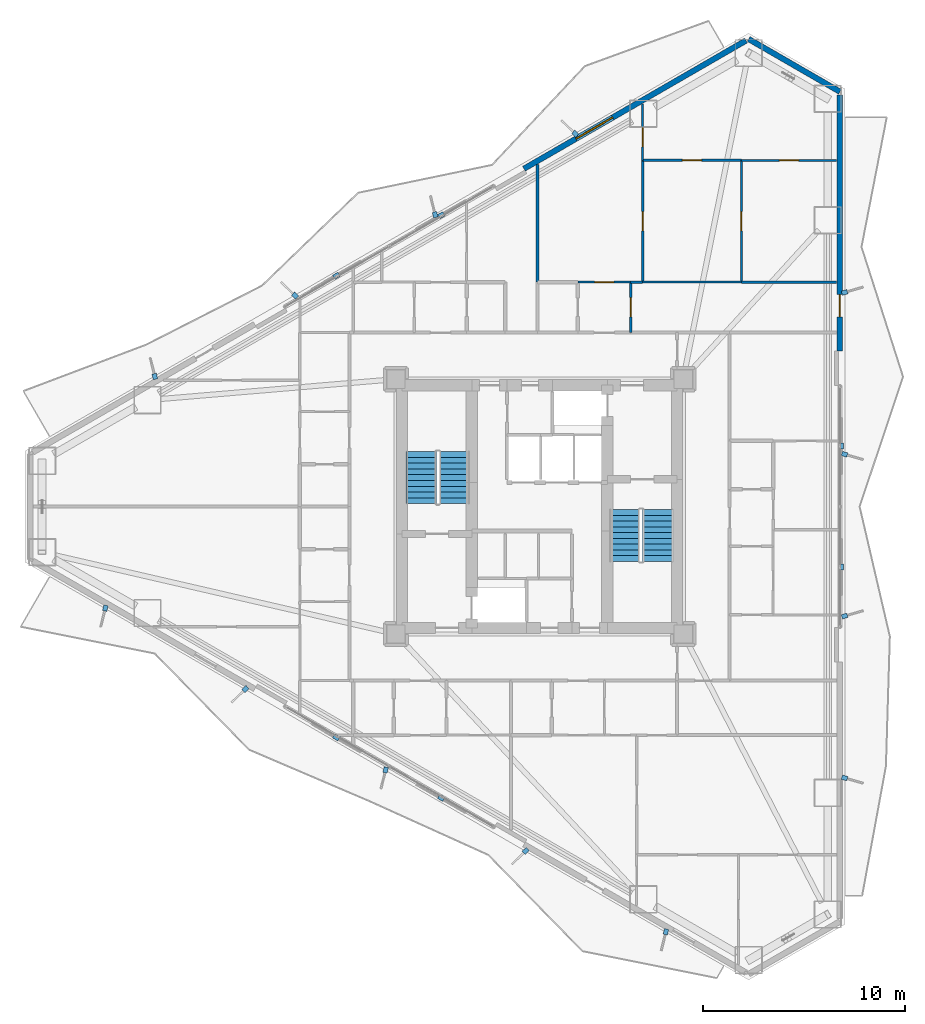
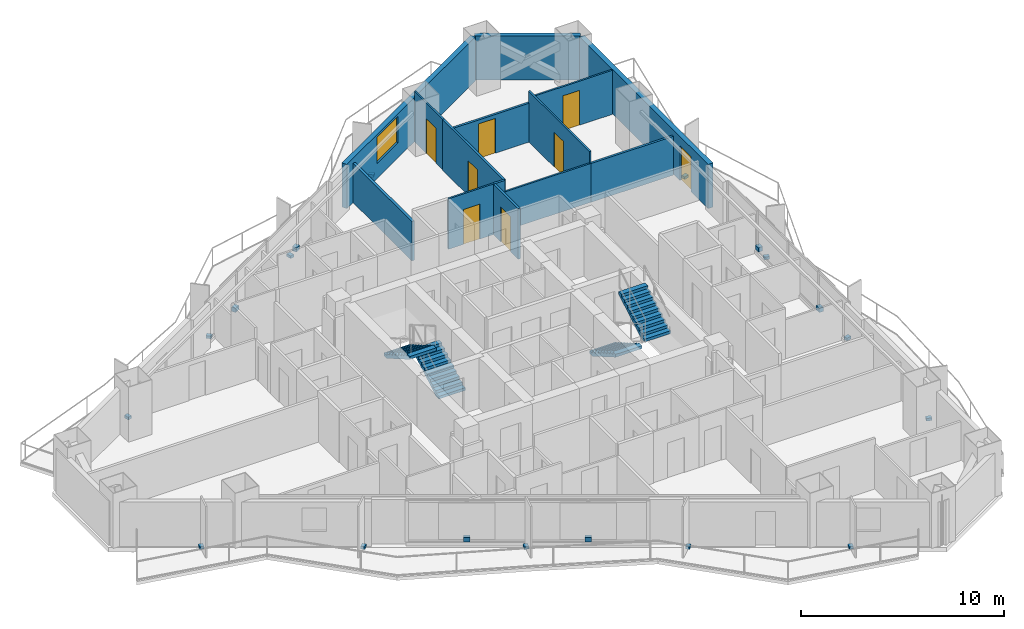
# One storey, part 16 of 18: 19 discrete accessories, 14 walls, 8 doors, 4 stair flights, 1 window, 9 openings, 2 elements without a shape of their own.
"""IFC4 building model written with IfcOpenShell, lengths in metres."""

from ifc_helpers import new_model, si_unit, direction, frame, frame_2d, origin, origin_2d, place, context, subcontext, project, spatial, polyline, rectangle, outline, extrude, material, layer, layer_set, type_object, element, fill, aggregate, save


model = new_model("IFC4")

# Units and contexts
model_context = context("Model", 3, precision=1e-05, world=origin(), true_north=direction((0.0, 1.0)))
body_context = subcontext(model_context, "Body", "Model", "MODEL_VIEW")
ifc_project = project(units=[si_unit("LENGTHUNIT", "METRE"), si_unit("AREAUNIT", "SQUARE_METRE"), si_unit("VOLUMEUNIT", "CUBIC_METRE"), si_unit("PLANEANGLEUNIT", "RADIAN"), si_unit("MASSUNIT", "GRAM", prefix="KILO")], contexts=[model_context])

# Site, building, storey
site_placement = place(None, origin())
site = spatial("IfcSite", under=ifc_project, at=site_placement, CompositionType="ELEMENT")
building_placement = place(site_placement, origin())
building = spatial("IfcBuilding", under=site, at=building_placement, Name="Mersakhor Tower and Convention Hall", CompositionType="ELEMENT")
storey_placement = place(building_placement, frame((0.0, 0.0, 35.699951171875)))
storey = spatial("IfcBuildingStorey", under=building, at=storey_placement, Name="L09", CompositionType="ELEMENT", Elevation=35.699951171875)

# Wall
ifc_material_1 = material(Name="Precast concrete C45/55", Category="concrete")
ifc_layer_1 = layer(ifc_material_1, 0.27490234375)
ifc_layer_set_1 = layer_set([ifc_layer_1], Name="Precast concrete C45/55")
wall_type_1 = type_object("IfcWallType", Name="WL-EXT-275", PredefinedType="SOLIDWALL", material=ifc_layer_set_1)
wall_1_placement = place(storey_placement, frame((39.3369140625, 49.865234375, 0.0), z_axis=(0.0, 0.0, 1.0), x_axis=(0.866043601342, -0.499968479581, 0.0)))
element("IfcWall", 1, at=wall_1_placement, inside=storey, type_object=wall_type_1, Name="L09 Chamfer Braced Spandrel Wall C1", PredefinedType="SOLIDWALL", context=body_context, shape_type="SweptSolid", body=[
    extrude(rectangle(XDim=5.211181640625, YDim=0.27490234375, at=frame_2d((2.60546875, 0.0))), origin(), (0.0, 0.0, 1.0), 2.66015625),
])

# Wall, opening, window
wall_2_placement = place(storey_placement, frame((28.231689453125, 43.453857421875, 0.0), z_axis=(0.0, 0.0, 1.0), x_axis=(0.86603192154, 0.499988710747, 0.0)))
wall_2 = element("IfcWall", 2, at=wall_2_placement, inside=storey, type_object=wall_type_1, Name="L09 Exterior Facade Wall F1-B3", PredefinedType="SOLIDWALL", context=body_context, shape_type="SweptSolid", body=[
    extrude(rectangle(XDim=12.673095703125, YDim=0.27490234375, at=frame_2d((6.33642578125, 0.0))), origin(), (0.0, 0.0, 1.0), 2.66015625),
])
opening_1_placement = place(wall_2_placement, frame((2.9599609375, 0.0, 0.89990234375)))
opening_1 = element("IfcOpeningElement", 3, at=opening_1_placement, cuts=wall_2, Name="Opening W-04", PredefinedType="OPENING", context=body_context, shape_type="SweptSolid", body=[
    extrude(rectangle(XDim=2.10009765625, YDim=1.60009765625, at=frame_2d((1.050048828125, 0.800048828125))), frame((0.0, 0.1474609375, 0.0), z_axis=(0.0, -1.0, 0.0), x_axis=(1.0, 0.0, 0.0)), (0.0, 0.0, 1.0), 0.294921875),
])
ifc_material_2 = material(Name="Dark solar low-E glazed aluminium window", Category="aluminium")
window_type = type_object("IfcWindowType", Name="WN-RES-210x160", PartitioningType="SINGLE_PANEL", PredefinedType="WINDOW", material=ifc_material_2)
window_placement = place(opening_1_placement, origin())
window = element("IfcWindow", 4, at=window_placement, inside=storey, type_object=window_type, Name="L09 Facade Punched Window F1-B3", OverallHeight=1.60009765625, OverallWidth=2.10009765625, PartitioningType="SINGLE_PANEL", PredefinedType="WINDOW", context=body_context, shape_type="SweptSolid", body=[
    extrude(rectangle(XDim=2.10009765625, YDim=1.60009765625, at=frame_2d((1.050048828125, 0.800048828125))), frame((0.0, 0.030029296875, 0.0), z_axis=(0.0, -1.0, 0.0), x_axis=(1.0, 0.0, 0.0)), (0.0, 0.0, 1.0), 0.06005859375),
])
fill(opening_1, window)

# Wall, opening, door
wall_3_placement = place(storey_placement, frame((43.85009765625, 47.109619140625, 0.0), z_axis=(0.0, 0.0, 1.0), x_axis=(0.0, -1.0, 0.0)))
wall_3 = element("IfcWall", 5, at=wall_3_placement, inside=storey, type_object=wall_type_1, Name="L09 Exterior Facade Wall F2-B1", PredefinedType="SOLIDWALL", context=body_context, shape_type="SweptSolid", body=[
    extrude(rectangle(XDim=12.673095703125, YDim=0.27490234375, at=frame_2d((6.33642578125, 0.0))), origin(), (0.0, 0.0, 1.0), 2.66015625),
])
opening_2_placement = place(wall_3_placement, frame((9.8798828125, 0.0, 0.0)))
opening_2 = element("IfcOpeningElement", 6, at=opening_2_placement, cuts=wall_3, Name="Opening BD-02", PredefinedType="OPENING", context=body_context, shape_type="SweptSolid", body=[
    extrude(rectangle(XDim=1.10009765625, YDim=2.10009765625, at=frame_2d((0.550048828125, 1.050048828125))), frame((0.0, 0.1474609375, 0.0), z_axis=(0.0, -1.0, 0.0), x_axis=(1.0, 0.0, 0.0)), (0.0, 0.0, 1.0), 0.294921875),
])
ifc_material_3 = material(Name="Thermally broken dark aluminium and safety glass", Category="aluminium")
door_type_1 = type_object("IfcDoorType", Name="DR-BAL-110x210", OperationType="NOTDEFINED", PredefinedType="DOOR", material=ifc_material_3)
door_1_placement = place(opening_2_placement, origin())
door_1 = element("IfcDoor", 7, at=door_1_placement, inside=storey, type_object=door_type_1, Name="L09 Balcony Terrace Door F2-B1", OperationType="SINGLE_SWING_RIGHT", OverallHeight=2.10009765625, OverallWidth=1.10009765625, PredefinedType="DOOR", context=body_context, shape_type="SweptSolid", body=[
    extrude(rectangle(XDim=1.10009765625, YDim=2.10009765625, at=frame_2d((0.550048828125, 1.050048828125))), frame((0.0, 0.02490234375, 0.0), z_axis=(0.0, -1.0, 0.0), x_axis=(1.0, 0.0, 0.0)), (0.0, 0.0, 1.0), 0.050048828125),
])
fill(opening_2, door_1)

ifc_material_4 = material(Name="Lightweight gypsum partition", Category="other")
ifc_layer_2 = layer(ifc_material_4, 0.10009765625)
ifc_layer_set_2 = layer_set([ifc_layer_2], Name="Lightweight gypsum partition")
wall_type_2 = type_object("IfcWallType", Name="WL-PRT-100", PredefinedType="PARTITIONING", material=ifc_layer_set_2)
wall_4_placement = place(storey_placement, frame((30.89990234375, 37.85009765625, 0.0), z_axis=(0.0, 0.0, 1.0), x_axis=(1.0, 0.0, 0.0)))
wall_4 = element("IfcWall", 8, at=wall_4_placement, inside=storey, type_object=wall_type_2, Name="L09 Interior Partition Wall P-070", PredefinedType="PARTITIONING", context=body_context, shape_type="SweptSolid", body=[
    extrude(rectangle(XDim=2.60009765625, YDim=0.10009765625, at=frame_2d((1.300048828125, 0.0))), origin(), (0.0, 0.0, 1.0), 3.0400390625),
])
opening_3_placement = place(wall_4_placement, frame((0.824951171875, 0.0, 0.0)))
opening_3 = element("IfcOpeningElement", 9, at=opening_3_placement, cuts=wall_4, Name="Opening RD-01", PredefinedType="OPENING", context=body_context, shape_type="SweptSolid", body=[
    extrude(rectangle(XDim=0.949951171875, YDim=2.10009765625, at=frame_2d((0.47509765625, 1.050048828125))), frame((0.0, 0.06005859375, 0.0), z_axis=(0.0, -1.0, 0.0), x_axis=(1.0, 0.0, 0.0)), (0.0, 0.0, 1.0), 0.1201171875),
])
ifc_material_5 = material(Name="Solid-core hardwood leaf in painted steel frame", Category="steel")
door_type_2 = type_object("IfcDoorType", Name="DR-INT-RM-095x210", OperationType="NOTDEFINED", PredefinedType="DOOR", material=ifc_material_5)
door_2_placement = place(opening_3_placement, origin())
door_2 = element("IfcDoor", 10, at=door_2_placement, inside=storey, type_object=door_type_2, Name="L09 L09 Flat N2 Apartment Hall to L09 Flat N2 Living and Dining Room Door", OperationType="SINGLE_SWING_LEFT", OverallHeight=2.10009765625, OverallWidth=0.949951171875, PredefinedType="DOOR", context=body_context, shape_type="SweptSolid", body=[
    extrude(rectangle(XDim=0.949951171875, YDim=2.10009765625, at=frame_2d((0.47509765625, 1.050048828125))), frame((0.0, 0.02490234375, 0.0), z_axis=(0.0, -1.0, 0.0), x_axis=(1.0, 0.0, 0.0)), (0.0, 0.0, 1.0), 0.050048828125),
])
fill(opening_3, door_2)

# Wall
wall_5_placement = place(storey_placement, frame((34.10009765625, 37.85009765625, 0.0), z_axis=(0.0, 0.0, 1.0), x_axis=(1.0, 0.0, 0.0)))
element("IfcWall", 11, at=wall_5_placement, inside=storey, type_object=wall_type_2, Name="L09 Interior Partition Wall P-098", PredefinedType="PARTITIONING", context=body_context, shape_type="SweptSolid", body=[
    extrude(rectangle(XDim=4.8798828125, YDim=0.10009765625, at=frame_2d((2.43994140625, 0.0))), origin(), (0.0, 0.0, 1.0), 2.337646484375),
])

# Wall, opening, door
wall_6_placement = place(storey_placement, frame((34.10009765625, 46.6552734375, 0.0), z_axis=(0.0, 0.0, 1.0), x_axis=(0.0, -1.0, 0.0)))
wall_6 = element("IfcWall", 12, at=wall_6_placement, inside=storey, type_object=wall_type_2, Name="L09 Interior Partition Wall P-126", PredefinedType="PARTITIONING", context=body_context, shape_type="SweptSolid", body=[
    extrude(rectangle(XDim=2.795166015625, YDim=0.10009765625, at=frame_2d((1.3974609375, 0.0))), origin(), (0.0, 0.0, 1.0), 3.0400390625),
])
opening_4_placement = place(wall_6_placement, frame((1.17529296875, 0.0, 0.0)))
opening_4 = element("IfcOpeningElement", 13, at=opening_4_placement, cuts=wall_6, Name="Opening RD-01", PredefinedType="OPENING", context=body_context, shape_type="SweptSolid", body=[
    extrude(rectangle(XDim=0.949951171875, YDim=2.10009765625, at=frame_2d((0.47509765625, 1.050048828125))), frame((0.0, 0.06005859375, 0.0), z_axis=(0.0, -1.0, 0.0), x_axis=(1.0, 0.0, 0.0)), (0.0, 0.0, 1.0), 0.1201171875),
])
door_3_placement = place(opening_4_placement, origin())
door_3 = element("IfcDoor", 14, at=door_3_placement, inside=storey, type_object=door_type_2, Name="L09 L09 Flat N2 Living and Dining Room to L09 Flat N2 Dining Room Door", OperationType="SINGLE_SWING_LEFT", OverallHeight=2.10009765625, OverallWidth=0.949951171875, PredefinedType="DOOR", context=body_context, shape_type="SweptSolid", body=[
    extrude(rectangle(XDim=0.949951171875, YDim=2.10009765625, at=frame_2d((0.47509765625, 1.050048828125))), frame((0.0, 0.02490234375, 0.0), z_axis=(0.0, -1.0, 0.0), x_axis=(1.0, 0.0, 0.0)), (0.0, 0.0, 1.0), 0.050048828125),
])
fill(opening_4, door_3)

wall_7_placement = place(storey_placement, frame((38.97998046875, 43.860107421875, 0.0), z_axis=(0.0, 0.0, 1.0), x_axis=(0.0, -1.0, 0.0)))
wall_7 = element("IfcWall", 15, at=wall_7_placement, inside=storey, type_object=wall_type_2, Name="L09 Interior Partition Wall P-128", PredefinedType="PARTITIONING", context=body_context, shape_type="SweptSolid", body=[
    extrude(rectangle(XDim=6.010009765625, YDim=0.10009765625, at=frame_2d((3.0048828125, 0.0))), origin(), (0.0, 0.0, 1.0), 3.0400390625),
])
opening_5_placement = place(wall_7_placement, frame((2.530029296875, 0.0, 0.0)))
opening_5 = element("IfcOpeningElement", 16, at=opening_5_placement, cuts=wall_7, Name="Opening RD-01", PredefinedType="OPENING", context=body_context, shape_type="SweptSolid", body=[
    extrude(rectangle(XDim=0.949951171875, YDim=2.10009765625, at=frame_2d((0.47509765625, 1.050048828125))), frame((0.0, 0.06005859375, 0.0), z_axis=(0.0, -1.0, 0.0), x_axis=(1.0, 0.0, 0.0)), (0.0, 0.0, 1.0), 0.1201171875),
])
door_4_placement = place(opening_5_placement, origin())
door_4 = element("IfcDoor", 17, at=door_4_placement, inside=storey, type_object=door_type_2, Name="L09 L09 Flat N2 Bedroom 1 to L09 Flat N2 Study Room Door", OperationType="SINGLE_SWING_RIGHT", OverallHeight=2.10009765625, OverallWidth=0.949951171875, PredefinedType="DOOR", context=body_context, shape_type="SweptSolid", body=[
    extrude(rectangle(XDim=0.949951171875, YDim=2.10009765625, at=frame_2d((0.47509765625, 1.050048828125))), frame((0.0, 0.02490234375, 0.0), z_axis=(0.0, -1.0, 0.0), x_axis=(1.0, 0.0, 0.0)), (0.0, 0.0, 1.0), 0.050048828125),
])
fill(opening_5, door_4)

wall_8_placement = place(storey_placement, frame((38.97998046875, 43.860107421875, 0.0), z_axis=(0.0, 0.0, 1.0), x_axis=(1.0, 0.0, 0.0)))
wall_8 = element("IfcWall", 18, at=wall_8_placement, inside=storey, type_object=wall_type_2, Name="L09 Interior Partition Wall P-130", PredefinedType="PARTITIONING", context=body_context, shape_type="SweptSolid", body=[
    extrude(rectangle(XDim=4.70849609375, YDim=0.10009765625, at=frame_2d((2.354248046875, 0.0))), origin(), (0.0, 0.0, 1.0), 2.650390625),
])
opening_6_placement = place(wall_8_placement, frame((1.87939453125, 0.0, 0.0)))
opening_6 = element("IfcOpeningElement", 19, at=opening_6_placement, cuts=wall_8, Name="Opening RD-01", PredefinedType="OPENING", context=body_context, shape_type="SweptSolid", body=[
    extrude(rectangle(XDim=0.949951171875, YDim=2.10009765625, at=frame_2d((0.47509765625, 1.050048828125))), frame((0.0, 0.06005859375, 0.0), z_axis=(0.0, -1.0, 0.0), x_axis=(1.0, 0.0, 0.0)), (0.0, 0.0, 1.0), 0.1201171875),
])
door_5_placement = place(opening_6_placement, origin())
door_5 = element("IfcDoor", 20, at=door_5_placement, inside=storey, type_object=door_type_2, Name="L09 L09 Flat N2 Study Room to L09 Flat N2 Dining Room Door", OperationType="SINGLE_SWING_RIGHT", OverallHeight=2.10009765625, OverallWidth=0.949951171875, PredefinedType="DOOR", context=body_context, shape_type="SweptSolid", body=[
    extrude(rectangle(XDim=0.949951171875, YDim=2.10009765625, at=frame_2d((0.47509765625, 1.050048828125))), frame((0.0, 0.02490234375, 0.0), z_axis=(0.0, -1.0, 0.0), x_axis=(1.0, 0.0, 0.0)), (0.0, 0.0, 1.0), 0.050048828125),
])
fill(opening_6, door_5)

ifc_material_6 = material(Name="Gypsum board acoustic partition", Category="other")
ifc_layer_3 = layer(ifc_material_6, 0.125)
ifc_layer_set_3 = layer_set([ifc_layer_3], Name="Gypsum board acoustic partition")
wall_type_3 = type_object("IfcWallType", Name="WL-PRT-125", PredefinedType="PARTITIONING", material=ifc_layer_set_3)
wall_9_placement = place(storey_placement, frame((33.5, 37.85009765625, 0.0), z_axis=(0.0, 0.0, 1.0), x_axis=(0.0, -1.0, 0.0)))
wall_9 = element("IfcWall", 21, at=wall_9_placement, inside=storey, type_object=wall_type_3, Name="L09 Interior Partition Wall P-071", PredefinedType="PARTITIONING", context=body_context, shape_type="SweptSolid", body=[
    extrude(rectangle(XDim=2.5, YDim=0.125, at=frame_2d((1.25, 0.0))), origin(), (0.0, 0.0, 1.0), 3.0400390625),
])
opening_7_placement = place(wall_9_placement, frame((0.77490234375, 0.0, 0.0)))
opening_7 = element("IfcOpeningElement", 22, at=opening_7_placement, cuts=wall_9, Name="Opening RD-01", PredefinedType="OPENING", context=body_context, shape_type="SweptSolid", body=[
    extrude(rectangle(XDim=0.949951171875, YDim=2.10009765625, at=frame_2d((0.47509765625, 1.050048828125))), frame((0.0, 0.072509765625, 0.0), z_axis=(0.0, -1.0, 0.0), x_axis=(1.0, 0.0, 0.0)), (0.0, 0.0, 1.0), 0.14501953125),
])
door_6_placement = place(opening_7_placement, origin())
door_6 = element("IfcDoor", 23, at=door_6_placement, inside=storey, type_object=door_type_2, Name="L09 L09 Flat N2 Apartment Hall to L09 Flat N2 Kitchen Door", OperationType="SINGLE_SWING_RIGHT", OverallHeight=2.10009765625, OverallWidth=0.949951171875, PredefinedType="DOOR", context=body_context, shape_type="SweptSolid", body=[
    extrude(rectangle(XDim=0.949951171875, YDim=2.10009765625, at=frame_2d((0.47509765625, 1.050048828125))), frame((0.0, 0.02490234375, 0.0), z_axis=(0.0, -1.0, 0.0), x_axis=(1.0, 0.0, 0.0)), (0.0, 0.0, 1.0), 0.050048828125),
])
fill(opening_7, door_6)

# Walls
wall_10_placement = place(storey_placement, frame((33.5, 37.85009765625, 0.0), z_axis=(0.0, 0.0, 1.0), x_axis=(1.0, 0.0, 0.0)))
element("IfcWall", 24, at=wall_10_placement, inside=storey, type_object=wall_type_3, Name="L09 Interior Partition Wall P-097", PredefinedType="PARTITIONING", context=body_context, shape_type="SweptSolid", body=[
    extrude(rectangle(XDim=0.60009765625, YDim=0.125, at=frame_2d((0.300048828125, 0.0))), origin(), (0.0, 0.0, 1.0), 3.0400390625),
])
wall_11_placement = place(storey_placement, frame((38.97998046875, 37.85009765625, 0.0), z_axis=(0.0, 0.0, 1.0), x_axis=(1.0, 0.0, 0.0)))
element("IfcWall", 25, at=wall_11_placement, inside=storey, type_object=wall_type_3, Name="L09 Interior Partition Wall P-099", PredefinedType="PARTITIONING", context=body_context, shape_type="SweptSolid", body=[
    extrude(rectangle(XDim=4.70849609375, YDim=0.125, at=frame_2d((2.354248046875, 0.0))), origin(), (0.0, 0.0, 1.0), 2.337646484375),
])

# Wall, opening, door
wall_12_placement = place(storey_placement, frame((34.10009765625, 43.860107421875, 0.0), z_axis=(0.0, 0.0, 1.0), x_axis=(0.0, -1.0, 0.0)))
wall_12 = element("IfcWall", 26, at=wall_12_placement, inside=storey, type_object=wall_type_3, Name="L09 Interior Partition Wall P-127", PredefinedType="PARTITIONING", context=body_context, shape_type="SweptSolid", body=[
    extrude(rectangle(XDim=6.010009765625, YDim=0.125, at=frame_2d((3.0048828125, 0.0))), origin(), (0.0, 0.0, 1.0), 3.0400390625),
])
opening_8_placement = place(wall_12_placement, frame((2.530029296875, 0.0, 0.0)))
opening_8 = element("IfcOpeningElement", 27, at=opening_8_placement, cuts=wall_12, Name="Opening RD-01", PredefinedType="OPENING", context=body_context, shape_type="SweptSolid", body=[
    extrude(rectangle(XDim=0.949951171875, YDim=2.10009765625, at=frame_2d((0.47509765625, 1.050048828125))), frame((0.0, 0.072509765625, 0.0), z_axis=(0.0, -1.0, 0.0), x_axis=(1.0, 0.0, 0.0)), (0.0, 0.0, 1.0), 0.14501953125),
])
door_7_placement = place(opening_8_placement, origin())
door_7 = element("IfcDoor", 28, at=door_7_placement, inside=storey, type_object=door_type_2, Name="L09 L09 Flat N2 Living and Dining Room to L09 Flat N2 Bedroom 1 Door", OperationType="SINGLE_SWING_RIGHT", OverallHeight=2.10009765625, OverallWidth=0.949951171875, PredefinedType="DOOR", context=body_context, shape_type="SweptSolid", body=[
    extrude(rectangle(XDim=0.949951171875, YDim=2.10009765625, at=frame_2d((0.47509765625, 1.050048828125))), frame((0.0, 0.02490234375, 0.0), z_axis=(0.0, -1.0, 0.0), x_axis=(1.0, 0.0, 0.0)), (0.0, 0.0, 1.0), 0.050048828125),
])
fill(opening_8, door_7)

wall_13_placement = place(storey_placement, frame((34.10009765625, 43.860107421875, 0.0), z_axis=(0.0, 0.0, 1.0), x_axis=(1.0, 0.0, 0.0)))
wall_13 = element("IfcWall", 29, at=wall_13_placement, inside=storey, type_object=wall_type_3, Name="L09 Interior Partition Wall P-129", PredefinedType="PARTITIONING", context=body_context, shape_type="SweptSolid", body=[
    extrude(rectangle(XDim=4.8798828125, YDim=0.125, at=frame_2d((2.43994140625, 0.0))), origin(), (0.0, 0.0, 1.0), 2.337646484375),
])
opening_9_placement = place(wall_13_placement, frame((1.965087890625, 0.0, 0.0)))
opening_9 = element("IfcOpeningElement", 30, at=opening_9_placement, cuts=wall_13, Name="Opening RD-01", PredefinedType="OPENING", context=body_context, shape_type="SweptSolid", body=[
    extrude(rectangle(XDim=0.949951171875, YDim=2.10009765625, at=frame_2d((0.47509765625, 1.050048828125))), frame((0.0, 0.072509765625, 0.0), z_axis=(0.0, -1.0, 0.0), x_axis=(1.0, 0.0, 0.0)), (0.0, 0.0, 1.0), 0.14501953125),
])
door_8_placement = place(opening_9_placement, origin())
door_8 = element("IfcDoor", 31, at=door_8_placement, inside=storey, type_object=door_type_2, Name="L09 L09 Flat N2 Bedroom 1 to L09 Flat N2 Dining Room Door", OperationType="SINGLE_SWING_LEFT", OverallHeight=2.10009765625, OverallWidth=0.949951171875, PredefinedType="DOOR", context=body_context, shape_type="SweptSolid", body=[
    extrude(rectangle(XDim=0.949951171875, YDim=2.10009765625, at=frame_2d((0.47509765625, 1.050048828125))), frame((0.0, 0.02490234375, 0.0), z_axis=(0.0, -1.0, 0.0), x_axis=(1.0, 0.0, 0.0)), (0.0, 0.0, 1.0), 0.050048828125),
])
fill(opening_9, door_8)

# Wall
ifc_material_7 = material(Name="Fire-rated gypsum board stud partition", Category="other")
ifc_layer_4 = layer(ifc_material_7, 0.14990234375)
ifc_layer_set_4 = layer_set([ifc_layer_4], Name="Fire-rated gypsum board stud partition")
wall_type_4 = type_object("IfcWallType", Name="WL-PRT-150", PredefinedType="PARTITIONING", material=ifc_layer_set_4)
wall_14_placement = place(storey_placement, frame((28.89990234375, 43.653076171875, 0.0), z_axis=(0.0, 0.0, 1.0), x_axis=(0.0, -1.0, 0.0)))
element("IfcWall", 32, at=wall_14_placement, inside=storey, type_object=wall_type_4, Name="L09 Interior Partition Wall P-125", PredefinedType="PARTITIONING", context=body_context, shape_type="SweptSolid", body=[
    extrude(rectangle(XDim=5.802978515625, YDim=0.14990234375, at=frame_2d((2.9013671875, 0.0))), origin(), (0.0, 0.0, 1.0), 2.364990234375),
])

# Stair, stair flights
ifc_material_8 = material(Name="Concrete C45/55", Category="concrete")
stair_type = type_object("IfcStairType", Name="ST-TWR-20R", PredefinedType="HALF_TURN_STAIR", material=ifc_material_8)
stair_1_placement = place(storey_placement, origin())
stair_1 = element("IfcStair", 33, at=stair_1_placement, inside=storey, type_object=stair_type, Name="L09 Tower Protected Exit Stair ST-1", PredefinedType="HALF_TURN_STAIR")
ifc_material_9 = material(Name="Concrete C45/55", Category="concrete")
stair_flight_type = type_object("IfcStairFlightType", Name="SFL-TWR-20R", PredefinedType="STRAIGHT", material=ifc_material_9)
stair_flight_1_placement = place(storey_placement, frame((24.800048828125, 26.89990234375, 0.0), z_axis=(0.0, 0.0, 1.0), x_axis=(0.0, 1.0, 0.0)))
stair_flight_1 = element("IfcStairFlight", 34, at=stair_flight_1_placement, type_object=stair_flight_type, Name="ST-1 flight 1", NumberOfRisers=10, NumberOfTreads=9, PredefinedType="STRAIGHT", RiserHeight=0.165, TreadLength=0.285, context=body_context, shape_type="SweptSolid", body=[
    extrude(outline(polyline([(0.0, 0.0), (0.0, 0.1650390625), (0.284912109375, 0.1650390625), (0.284912109375, 0.330078125), (0.570068359375, 0.330078125), (0.570068359375, 0.4951171875), (0.85498046875, 0.4951171875), (0.85498046875, 0.659912109375), (1.139892578125, 0.659912109375), (1.139892578125, 0.824951171875), (1.425048828125, 0.824951171875), (1.425048828125, 0.989990234375), (1.7099609375, 0.989990234375), (1.7099609375, 1.155029296875), (1.9951171875, 1.155029296875), (1.9951171875, 1.320068359375), (2.280029296875, 1.320068359375), (2.280029296875, 1.485107421875), (2.56494140625, 1.485107421875), (2.56494140625, 1.64990234375), (2.56494140625, 1.311767578125), (0.299072265625, 0.0), (0.0, 0.0)])), frame((0.0, 0.75, 0.0), z_axis=(0.0, -1.0, 0.0), x_axis=(1.0, 0.0, 0.0)), (0.0, 0.0, 1.0), 1.5),
])
stair_flight_2_placement = place(storey_placement, frame((23.14990234375, 29.465087890625, 1.650146484375), z_axis=(0.0, 0.0, 1.0), x_axis=(0.0, -1.0, 0.0)))
stair_flight_2 = element("IfcStairFlight", 35, at=stair_flight_2_placement, type_object=stair_flight_type, Name="ST-1 flight 2", NumberOfRisers=10, NumberOfTreads=9, PredefinedType="STRAIGHT", RiserHeight=0.165, TreadLength=0.285, context=body_context, shape_type="SweptSolid", body=[
    extrude(outline(polyline([(0.0, 0.0), (0.0, 0.1650390625), (0.284912109375, 0.1650390625), (0.284912109375, 0.330078125), (0.570068359375, 0.330078125), (0.570068359375, 0.4951171875), (0.85498046875, 0.4951171875), (0.85498046875, 0.659912109375), (1.139892578125, 0.659912109375), (1.139892578125, 0.824951171875), (1.425048828125, 0.824951171875), (1.425048828125, 0.989990234375), (1.7099609375, 0.989990234375), (1.7099609375, 1.155029296875), (1.9951171875, 1.155029296875), (1.9951171875, 1.320068359375), (2.280029296875, 1.320068359375), (2.280029296875, 1.485107421875), (2.56494140625, 1.485107421875), (2.56494140625, 1.64990234375), (2.56494140625, 1.311767578125), (0.299072265625, 0.0), (0.0, 0.0)])), frame((0.0, 0.75, 0.0), z_axis=(0.0, -1.0, 0.0), x_axis=(1.0, 0.0, 0.0)), (0.0, 0.0, 1.0), 1.5),
])
aggregate(stair_1, [stair_flight_1, stair_flight_2])

stair_2_placement = place(storey_placement, origin())
stair_2 = element("IfcStair", 36, at=stair_2_placement, inside=storey, type_object=stair_type, Name="L09 Tower Protected Exit Stair ST-2", PredefinedType="HALF_TURN_STAIR")
stair_flight_3_placement = place(storey_placement, frame((33.199951171875, 26.60009765625, 0.0), z_axis=(0.0, 0.0, 1.0), x_axis=(0.0, -1.0, 0.0)))
stair_flight_3 = element("IfcStairFlight", 37, at=stair_flight_3_placement, type_object=stair_flight_type, Name="ST-2 flight 1", NumberOfRisers=10, NumberOfTreads=9, PredefinedType="STRAIGHT", RiserHeight=0.165, TreadLength=0.285, context=body_context, shape_type="SweptSolid", body=[
    extrude(outline(polyline([(0.0, 0.0), (0.0, 0.1650390625), (0.284912109375, 0.1650390625), (0.284912109375, 0.330078125), (0.570068359375, 0.330078125), (0.570068359375, 0.4951171875), (0.85498046875, 0.4951171875), (0.85498046875, 0.659912109375), (1.139892578125, 0.659912109375), (1.139892578125, 0.824951171875), (1.425048828125, 0.824951171875), (1.425048828125, 0.989990234375), (1.7099609375, 0.989990234375), (1.7099609375, 1.155029296875), (1.9951171875, 1.155029296875), (1.9951171875, 1.320068359375), (2.280029296875, 1.320068359375), (2.280029296875, 1.485107421875), (2.56494140625, 1.485107421875), (2.56494140625, 1.64990234375), (2.56494140625, 1.311767578125), (0.299072265625, 0.0), (0.0, 0.0)])), frame((0.0, 0.75, 0.0), z_axis=(0.0, -1.0, 0.0), x_axis=(1.0, 0.0, 0.0)), (0.0, 0.0, 1.0), 1.5),
])
stair_flight_4_placement = place(storey_placement, frame((34.85009765625, 24.034912109375, 1.650146484375), z_axis=(0.0, 0.0, 1.0), x_axis=(0.0, 1.0, 0.0)))
stair_flight_4 = element("IfcStairFlight", 38, at=stair_flight_4_placement, type_object=stair_flight_type, Name="ST-2 flight 2", NumberOfRisers=10, NumberOfTreads=9, PredefinedType="STRAIGHT", RiserHeight=0.165, TreadLength=0.285, context=body_context, shape_type="SweptSolid", body=[
    extrude(outline(polyline([(0.0, 0.0), (0.0, 0.1650390625), (0.284912109375, 0.1650390625), (0.284912109375, 0.330078125), (0.570068359375, 0.330078125), (0.570068359375, 0.4951171875), (0.85498046875, 0.4951171875), (0.85498046875, 0.659912109375), (1.139892578125, 0.659912109375), (1.139892578125, 0.824951171875), (1.425048828125, 0.824951171875), (1.425048828125, 0.989990234375), (1.7099609375, 0.989990234375), (1.7099609375, 1.155029296875), (1.9951171875, 1.155029296875), (1.9951171875, 1.320068359375), (2.280029296875, 1.320068359375), (2.280029296875, 1.485107421875), (2.56494140625, 1.485107421875), (2.56494140625, 1.64990234375), (2.56494140625, 1.311767578125), (0.299072265625, 0.0), (0.0, 0.0)])), frame((0.0, 0.75, 0.0), z_axis=(0.0, -1.0, 0.0), x_axis=(1.0, 0.0, 0.0)), (0.0, 0.0, 1.0), 1.5),
])
aggregate(stair_2, [stair_flight_3, stair_flight_4])

# Discrete accessories
ifc_material_10 = material(Name="Galvanised steel bracket", Category="steel")
ifc_layer_5 = layer(ifc_material_10, 0.02001953125)
ifc_layer_set_5 = layer_set([ifc_layer_5], Name="Galvanised steel bracket")
discrete_accessory_type = type_object("IfcDiscreteAccessoryType", Name="ACC-BRK-STL", PredefinedType="BRACKET", material=ifc_layer_set_5)
for number, where, z_axis, x_axis, name in (
    (39, (18.957763671875, 38.156982421875, 0.2900390625), (0.0, 0.0, 1.0), (0.866025403784, 0.5, 0.0), "L09 Solar Screen Outrigger Bracket BRK-1-1"),
    (40, (24.142333984375, 41.150390625, 0.2900390625), (0.0, 0.0, 1.0), (0.866025403784, 0.5, 0.0), "L09 Solar Screen Outrigger Bracket BRK-1-2"),
):
    element("IfcDiscreteAccessory", number, at=place(storey_placement, frame(where, z_axis=z_axis, x_axis=x_axis)), inside=storey, type_object=discrete_accessory_type, Name=name, PredefinedType="BRACKET", context=body_context, shape_type="SweptSolid", body=[
        extrude(rectangle(XDim=0.300048828125, YDim=0.239990234375, at=origin_2d()), origin(), (0.0, 0.0, 1.0), 0.260009765625),
    ])
for number, where, z_axis, x_axis, name in (
    (41, (9.981689453125, 33.1826171875, -0.02001953125), (0.0, 0.0, 1.0), (-0.2419218956, 0.970295726276, 0.0), "L09 Facade Fin Base Cleat Bracket FBRK-1-1"),
    (42, (16.909912109375, 37.1826171875, -0.02001953125), (0.0, 0.0, 1.0), (-0.719339800339, 0.694658370459, 0.0), "L09 Facade Fin Base Cleat Bracket FBRK-1-2"),
    (43, (23.838134765625, 41.1826171875, -0.02001953125), (0.0, 0.0, 1.0), (-0.2419218956, 0.970295726276, 0.0), "L09 Facade Fin Base Cleat Bracket FBRK-1-3"),
    (44, (30.766357421875, 45.1826171875, -0.02001953125), (0.0, 0.0, 1.0), (-0.719339800339, 0.694658370459, 0.0), "L09 Facade Fin Base Cleat Bracket FBRK-1-4"),
):
    element("IfcDiscreteAccessory", number, at=place(storey_placement, frame(where, z_axis=z_axis, x_axis=x_axis)), inside=storey, type_object=discrete_accessory_type, Name=name, PredefinedType="BRACKET", context=body_context, shape_type="SweptSolid", body=[
        extrude(rectangle(XDim=0.280029296875, YDim=0.219970703125, at=origin_2d()), origin(), (0.0, 0.0, 1.0), 0.159912109375),
    ])
for number, where, z_axis, x_axis, name in (
    (45, (43.89990234375, 29.743408203125, 0.2900390625), (0.0, 0.0, 1.0), (0.0, -1.0, 0.0), "L09 Solar Screen Outrigger Bracket BRK-2-1"),
    (46, (43.89990234375, 23.756591796875, 0.2900390625), (0.0, 0.0, 1.0), (0.0, -1.0, 0.0), "L09 Solar Screen Outrigger Bracket BRK-2-2"),
):
    element("IfcDiscreteAccessory", number, at=place(storey_placement, frame(where, z_axis=z_axis, x_axis=x_axis)), inside=storey, type_object=discrete_accessory_type, Name=name, PredefinedType="BRACKET", context=body_context, shape_type="SweptSolid", body=[
        extrude(rectangle(XDim=0.300048828125, YDim=0.239990234375, at=origin_2d()), origin(), (0.0, 0.0, 1.0), 0.260009765625),
    ])
for number, where, z_axis, x_axis, name in (
    (47, (44.080078125, 37.33740234375, -0.02001953125), (0.0, 0.0, 1.0), (0.961261695938, 0.275637355817, 0.0), "L09 Facade Fin Base Cleat Bracket FBRK-2-1"),
    (48, (44.080078125, 29.33740234375, -0.02001953125), (0.0, 0.0, 1.0), (0.961261695938, -0.275637355817, 0.0), "L09 Facade Fin Base Cleat Bracket FBRK-2-2"),
    (49, (44.080078125, 21.33740234375, -0.02001953125), (0.0, 0.0, 1.0), (0.961261695938, 0.275637355817, 0.0), "L09 Facade Fin Base Cleat Bracket FBRK-2-3"),
    (50, (44.080078125, 13.33740234375, -0.02001953125), (0.0, 0.0, 1.0), (0.961261695938, -0.275637355817, 0.0), "L09 Facade Fin Base Cleat Bracket FBRK-2-4"),
):
    element("IfcDiscreteAccessory", number, at=place(storey_placement, frame(where, z_axis=z_axis, x_axis=x_axis)), inside=storey, type_object=discrete_accessory_type, Name=name, PredefinedType="BRACKET", context=body_context, shape_type="SweptSolid", body=[
        extrude(rectangle(XDim=0.280029296875, YDim=0.219970703125, at=origin_2d()), origin(), (0.0, 0.0, 1.0), 0.159912109375),
    ])
for number, where, z_axis, x_axis, name in (
    (51, (24.14208984375, 12.349609375, 0.2900390625), (0.0, 0.0, 1.0), (-0.866025403784, 0.5, 0.0), "L09 Solar Screen Outrigger Bracket BRK-3-1"),
    (52, (18.957763671875, 15.3427734375, 0.2900390625), (0.0, 0.0, 1.0), (-0.866025403784, 0.5, 0.0), "L09 Solar Screen Outrigger Bracket BRK-3-2"),
):
    element("IfcDiscreteAccessory", number, at=place(storey_placement, frame(where, z_axis=z_axis, x_axis=x_axis)), inside=storey, type_object=discrete_accessory_type, Name=name, PredefinedType="BRACKET", context=body_context, shape_type="SweptSolid", body=[
        extrude(rectangle(XDim=0.300048828125, YDim=0.239990234375, at=origin_2d()), origin(), (0.0, 0.0, 1.0), 0.260009765625),
    ])
for number, where, z_axis, x_axis, name in (
    (53, (35.247802734375, 5.72998046875, -0.02001953125), (0.0, 0.0, 1.0), (-0.2419218956, -0.970295726276, 0.0), "L09 Facade Fin Base Cleat Bracket FBRK-3-1"),
    (54, (28.319580078125, 9.72998046875, -0.02001953125), (0.0, 0.0, 1.0), (-0.719339800339, -0.694658370459, 0.0), "L09 Facade Fin Base Cleat Bracket FBRK-3-2"),
    (55, (21.391357421875, 13.72998046875, -0.02001953125), (0.0, 0.0, 1.0), (-0.2419218956, -0.970295726276, 0.0), "L09 Facade Fin Base Cleat Bracket FBRK-3-3"),
    (56, (14.463134765625, 17.72998046875, -0.02001953125), (0.0, 0.0, 1.0), (-0.719339800339, -0.694658370459, 0.0), "L09 Facade Fin Base Cleat Bracket FBRK-3-4"),
    (57, (7.534912109375, 21.72998046875, -0.02001953125), (0.0, 0.0, 1.0), (-0.2419218956, -0.970295726276, 0.0), "L09 Facade Fin Base Cleat Bracket FBRK-3-5"),
):
    element("IfcDiscreteAccessory", number, at=place(storey_placement, frame(where, z_axis=z_axis, x_axis=x_axis)), inside=storey, type_object=discrete_accessory_type, Name=name, PredefinedType="BRACKET", context=body_context, shape_type="SweptSolid", body=[
        extrude(rectangle(XDim=0.280029296875, YDim=0.219970703125, at=origin_2d()), origin(), (0.0, 0.0, 1.0), 0.159912109375),
    ])

save(model, "model.ifc")
